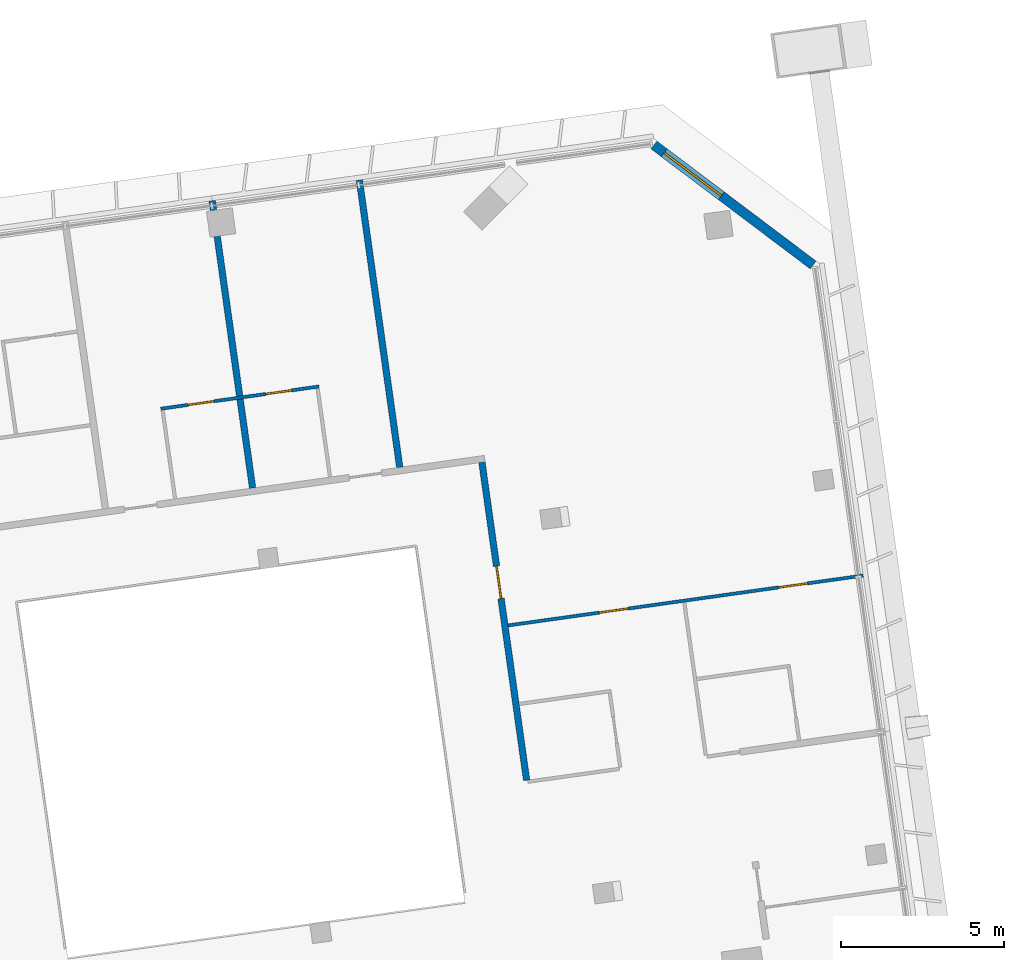
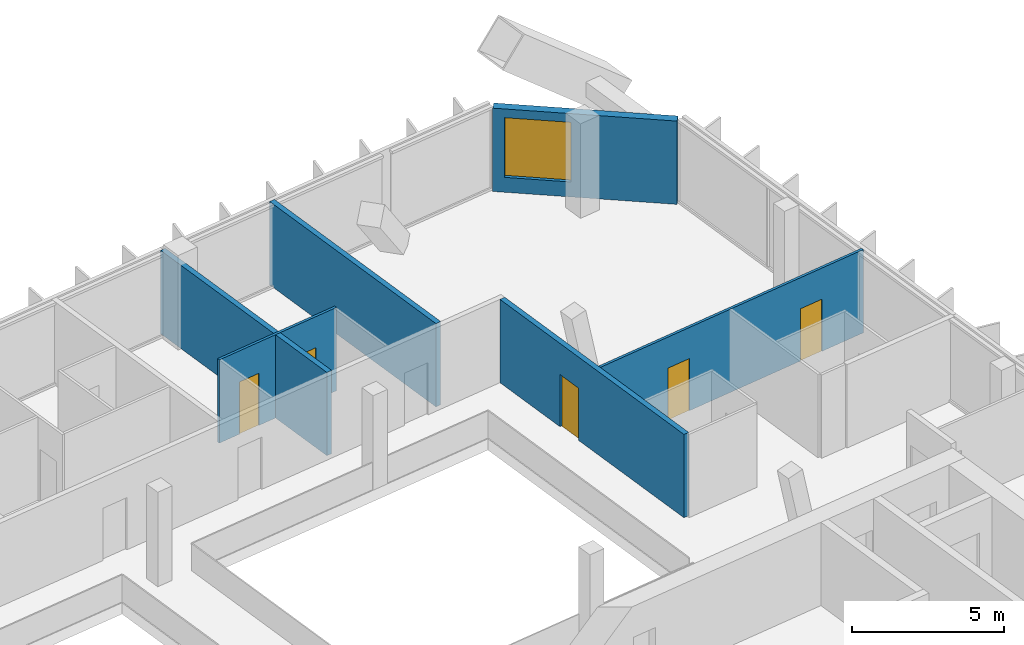
# One storey, part 25 of 32: 6 walls, 5 doors, 1 window, 6 openings.
"""IFC4 building model written with IfcOpenShell, lengths in metres."""

from ifc_helpers import new_model, si_unit, direction, frame, frame_2d, origin, place, context, subcontext, project, spatial, rectangle, extrude, material, layer, layer_set, type_object, element, fill, save


model = new_model("IFC4")

# Units and contexts
model_context = context("Model", 3, precision=1e-05, world=origin(), true_north=direction((0.0, 1.0)))
body_context = subcontext(model_context, "Body", "Model", "MODEL_VIEW")
ifc_project = project(units=[si_unit("LENGTHUNIT", "METRE"), si_unit("AREAUNIT", "SQUARE_METRE"), si_unit("VOLUMEUNIT", "CUBIC_METRE"), si_unit("PLANEANGLEUNIT", "RADIAN"), si_unit("MASSUNIT", "GRAM", prefix="KILO")], contexts=[model_context])

# Site, building, storey
site_placement = place(None, origin())
site = spatial("IfcSite", under=ifc_project, at=site_placement, CompositionType="ELEMENT")
building_placement = place(site_placement, origin())
building = spatial("IfcBuilding", under=site, at=building_placement, Name="Mirante Cascada Hotel Towers", CompositionType="ELEMENT")
storey_placement = place(building_placement, frame((0.0, 0.0, 176.4)))
storey = spatial("IfcBuildingStorey", under=building, at=storey_placement, Name="L41", CompositionType="ELEMENT", Elevation=176.4)

# Walls
ifc_material_1 = material(Name="Fire-rated plasterboard on metal studs")
ifc_layer_1 = layer(ifc_material_1, 0.2)
ifc_layer_set_1 = layer_set([ifc_layer_1], Name="Compartment wall 200 EI 120")
wall_type_1 = type_object("IfcWallType", Name="Compartment wall 200 EI 120", PredefinedType="PARTITIONING", material=ifc_layer_set_1)
for number, where, z_axis, x_axis, name in (
    (1, (71.742, 23.0532, 0.0), (0.0, 0.0, 1.0), (0.1391684, -0.9902687, 0.0), "Wall 2-L41-49"),
    (2, (76.2567, 23.6877, 0.0), (0.0, 0.0, 1.0), (0.1391794, -0.9902672, 0.0), "Wall 2-L41-51"),
):
    element("IfcWall", number, at=place(storey_placement, frame(where, z_axis=z_axis, x_axis=x_axis)), inside=storey, type_object=wall_type_1, Name=name, PredefinedType="PARTITIONING", context=body_context, shape_type="SweptSolid", body=[
        extrude(rectangle(XDim=8.9, YDim=0.2, at=frame_2d((4.45, 0.0))), origin(), (0.0, 0.0, 1.0), 3.35),
    ])

# Wall, opening, door
wall_1_placement = place(storey_placement, frame((81.388, 5.2726, 0.0), z_axis=(0.0, 0.0, 1.0), x_axis=(-0.1391781, 0.9902674, 0.0)))
wall_1 = element("IfcWall", 3, at=wall_1_placement, inside=storey, type_object=wall_type_1, Name="Wall 2-L41-52", PredefinedType="PARTITIONING", context=body_context, shape_type="SweptSolid", body=[
    extrude(rectangle(XDim=9.85, YDim=0.2, at=frame_2d((4.925, 0.0))), origin(), (0.0, 0.0, 1.0), 3.35),
])
opening_1_placement = place(wall_1_placement, frame((5.6333, 0.0, 0.0)))
opening_1 = element("IfcOpeningElement", 4, at=opening_1_placement, cuts=wall_1, Name="Opening D2-L41-32", PredefinedType="OPENING", context=body_context, shape_type="SweptSolid", body=[
    extrude(rectangle(XDim=1.0, YDim=2.1, at=frame_2d((0.5, 1.05))), frame((0.0, 0.1, 0.0), z_axis=(0.0, -1.0, 0.0), x_axis=(1.0, 0.0, 0.0)), (0.0, 0.0, 1.0), 0.2),
])
ifc_material_2 = material(Name="Fire-rated timber door leaf", Category="wood")
door_type_1 = type_object("IfcDoorType", Name="Entrance door DG1 1000x2100 EI 60", OperationType="SINGLE_SWING_LEFT", PredefinedType="DOOR", material=ifc_material_2)
door_1_placement = place(opening_1_placement, frame((1.0, 0.0, 0.0), z_axis=(0.0, 0.0, 1.0), x_axis=(-1.0, 0.0, 0.0)))
door_1 = element("IfcDoor", 5, at=door_1_placement, inside=storey, type_object=door_type_1, Name="Door D2-L41-32", OperationType="SINGLE_SWING_RIGHT", OverallHeight=2.1, OverallWidth=1.0, PredefinedType="DOOR", context=body_context, shape_type="SweptSolid", body=[
    extrude(rectangle(XDim=1.0, YDim=2.1, at=frame_2d((0.5, 1.05))), frame((0.0, 0.025, 0.0), z_axis=(0.0, -1.0, 0.0), x_axis=(1.0, 0.0, 0.0)), (0.0, 0.0, 1.0), 0.05),
])
fill(opening_1, door_1)

# Wall, openings, doors
ifc_material_3 = material(Name="Plasterboard on metal studs")
ifc_layer_2 = layer(ifc_material_3, 0.1)
ifc_layer_set_2 = layer_set([ifc_layer_2], Name="Partition 100")
wall_type_2 = type_object("IfcWallType", Name="Partition 100", PredefinedType="PARTITIONING", material=ifc_layer_set_2)
wall_2_placement = place(storey_placement, frame((91.7142, 11.5542, 0.0), z_axis=(0.0, 0.0, 1.0), x_axis=(-0.990268, -0.1391733, 0.0)))
wall_2 = element("IfcWall", 6, at=wall_2_placement, inside=storey, type_object=wall_type_2, Name="Wall 2-L41-15", PredefinedType="PARTITIONING", context=body_context, shape_type="SweptSolid", body=[
    extrude(rectangle(XDim=11.0, YDim=0.1, at=frame_2d((5.5, 0.0))), origin(), (0.0, 0.0, 1.0), 3.35),
])
opening_2_placement = place(wall_2_placement, frame((7.275, 0.0, 0.0)))
opening_2 = element("IfcOpeningElement", 7, at=opening_2_placement, cuts=wall_2, Name="Opening D2-L41-06", PredefinedType="OPENING", context=body_context, shape_type="SweptSolid", body=[
    extrude(rectangle(XDim=0.9, YDim=2.1, at=frame_2d((0.45, 1.05))), frame((0.0, 0.05, 0.0), z_axis=(0.0, -1.0, 0.0), x_axis=(1.0, 0.0, 0.0)), (0.0, 0.0, 1.0), 0.1),
])
opening_3_placement = place(wall_2_placement, frame((1.725, 0.0, 0.0)))
opening_3 = element("IfcOpeningElement", 8, at=opening_3_placement, cuts=wall_2, Name="Opening D2-L41-07", PredefinedType="OPENING", context=body_context, shape_type="SweptSolid", body=[
    extrude(rectangle(XDim=0.9, YDim=2.1, at=frame_2d((0.45, 1.05))), frame((0.0, 0.05, 0.0), z_axis=(0.0, -1.0, 0.0), x_axis=(1.0, 0.0, 0.0)), (0.0, 0.0, 1.0), 0.1),
])
ifc_material_4 = material(Name="Timber door leaf", Category="wood")
door_type_2 = type_object("IfcDoorType", Name="Room door DG3 900x2100", OperationType="SINGLE_SWING_LEFT", PredefinedType="DOOR", material=ifc_material_4)
door_2_placement = place(opening_2_placement, frame((0.9, 0.0, 0.0), z_axis=(0.0, 0.0, 1.0), x_axis=(-1.0, 0.0, 0.0)))
door_2 = element("IfcDoor", 9, at=door_2_placement, inside=storey, type_object=door_type_2, Name="Door D2-L41-06", OperationType="SINGLE_SWING_RIGHT", OverallHeight=2.1, OverallWidth=0.9, PredefinedType="DOOR", context=body_context, shape_type="SweptSolid", body=[
    extrude(rectangle(XDim=0.9, YDim=2.1, at=frame_2d((0.45, 1.05))), frame((0.0, 0.025, 0.0), z_axis=(0.0, -1.0, 0.0), x_axis=(1.0, 0.0, 0.0)), (0.0, 0.0, 1.0), 0.05),
])
fill(opening_2, door_2)
door_3_placement = place(opening_3_placement, frame((0.9, 0.0, 0.0), z_axis=(0.0, 0.0, 1.0), x_axis=(-1.0, 0.0, 0.0)))
door_3 = element("IfcDoor", 10, at=door_3_placement, inside=storey, type_object=door_type_2, Name="Door D2-L41-07", OperationType="SINGLE_SWING_RIGHT", OverallHeight=2.1, OverallWidth=0.9, PredefinedType="DOOR", context=body_context, shape_type="SweptSolid", body=[
    extrude(rectangle(XDim=0.9, YDim=2.1, at=frame_2d((0.45, 1.05))), frame((0.0, 0.025, 0.0), z_axis=(0.0, -1.0, 0.0), x_axis=(1.0, 0.0, 0.0)), (0.0, 0.0, 1.0), 0.05),
])
fill(opening_3, door_3)

wall_3_placement = place(storey_placement, frame((70.1648, 16.6716, 0.0), z_axis=(0.0, 0.0, 1.0), x_axis=(0.9902694, 0.1391638, 0.0)))
wall_3 = element("IfcWall", 11, at=wall_3_placement, inside=storey, type_object=wall_type_2, Name="Wall 2-L41-22", PredefinedType="PARTITIONING", context=body_context, shape_type="SweptSolid", body=[
    extrude(rectangle(XDim=4.9, YDim=0.1, at=frame_2d((2.45, 0.0))), origin(), (0.0, 0.0, 1.0), 3.35),
])
opening_4_placement = place(wall_3_placement, frame((0.85, 0.0, 0.0)))
opening_4 = element("IfcOpeningElement", 12, at=opening_4_placement, cuts=wall_3, Name="Opening D2-L41-15", PredefinedType="OPENING", context=body_context, shape_type="SweptSolid", body=[
    extrude(rectangle(XDim=0.8, YDim=2.1, at=frame_2d((0.4, 1.05))), frame((0.0, 0.05, 0.0), z_axis=(0.0, -1.0, 0.0), x_axis=(1.0, 0.0, 0.0)), (0.0, 0.0, 1.0), 0.1),
])
opening_5_placement = place(wall_3_placement, frame((3.25, 0.0, 0.0)))
opening_5 = element("IfcOpeningElement", 13, at=opening_5_placement, cuts=wall_3, Name="Opening D2-L41-16", PredefinedType="OPENING", context=body_context, shape_type="SweptSolid", body=[
    extrude(rectangle(XDim=0.8, YDim=2.1, at=frame_2d((0.4, 1.05))), frame((0.0, 0.05, 0.0), z_axis=(0.0, -1.0, 0.0), x_axis=(1.0, 0.0, 0.0)), (0.0, 0.0, 1.0), 0.1),
])
ifc_material_5 = material(Name="Timber door leaf", Category="wood")
door_type_3 = type_object("IfcDoorType", Name="Bathroom door DG4 800x2100", OperationType="SINGLE_SWING_LEFT", PredefinedType="DOOR", material=ifc_material_5)
door_4_placement = place(opening_4_placement, origin())
door_4 = element("IfcDoor", 14, at=door_4_placement, inside=storey, type_object=door_type_3, Name="Door D2-L41-15", OperationType="SINGLE_SWING_LEFT", OverallHeight=2.1, OverallWidth=0.8, PredefinedType="DOOR", context=body_context, shape_type="SweptSolid", body=[
    extrude(rectangle(XDim=0.8, YDim=2.1, at=frame_2d((0.4, 1.05))), frame((0.0, 0.025, 0.0), z_axis=(0.0, -1.0, 0.0), x_axis=(1.0, 0.0, 0.0)), (0.0, 0.0, 1.0), 0.05),
])
fill(opening_4, door_4)
door_5_placement = place(opening_5_placement, origin())
door_5 = element("IfcDoor", 15, at=door_5_placement, inside=storey, type_object=door_type_3, Name="Door D2-L41-16", OperationType="SINGLE_SWING_LEFT", OverallHeight=2.1, OverallWidth=0.8, PredefinedType="DOOR", context=body_context, shape_type="SweptSolid", body=[
    extrude(rectangle(XDim=0.8, YDim=2.1, at=frame_2d((0.4, 1.05))), frame((0.0, 0.025, 0.0), z_axis=(0.0, -1.0, 0.0), x_axis=(1.0, 0.0, 0.0)), (0.0, 0.0, 1.0), 0.05),
])
fill(opening_5, door_5)

# Wall, opening, window
ifc_material_6 = material(Name="Precast concrete C40/50", Category="concrete")
ifc_layer_3 = layer(ifc_material_6, 0.3)
ifc_layer_set_3 = layer_set([ifc_layer_3], Name="Precast concrete C40/50 cladding wall 300")
wall_type_3 = type_object("IfcWallType", Name="Precast concrete C40/50 cladding wall 300", PredefinedType="STANDARD", material=ifc_layer_set_3)
wall_4_placement = place(storey_placement, frame((90.1795, 21.0817, 0.0), z_axis=(0.0, 0.0, 1.0), x_axis=(-0.7986362, 0.6018141, 0.0)))
wall_4 = element("IfcWall", 16, at=wall_4_placement, inside=storey, type_object=wall_type_3, Name="Corner cladding wall T2 L41 outer front", PredefinedType="STANDARD", context=body_context, shape_type="SweptSolid", body=[
    extrude(rectangle(XDim=6.1157, YDim=0.3, at=frame_2d((3.0578, 0.0))), origin(), (0.0, 0.0, 1.0), 3.35),
])
opening_6_placement = place(wall_4_placement, frame((3.5243, 0.0, 0.6)))
opening_6 = element("IfcOpeningElement", 17, at=opening_6_placement, cuts=wall_4, Name="Opening W2-41-02", PredefinedType="OPENING", context=body_context, shape_type="SweptSolid", body=[
    extrude(rectangle(XDim=2.2, YDim=2.4, at=frame_2d((1.1, 1.2))), frame((0.0, 0.15, 0.0), z_axis=(0.0, -1.0, 0.0), x_axis=(1.0, 0.0, 0.0)), (0.0, 0.0, 1.0), 0.3),
])
ifc_material_7 = material(Name="Aluminium frame with clear double glazing", Category="aluminium")
window_type = type_object("IfcWindowType", Name="Corner suite window 2200x2400", PartitioningType="DOUBLE_PANEL_VERTICAL", PredefinedType="WINDOW", material=ifc_material_7)
window_placement = place(opening_6_placement, origin())
window = element("IfcWindow", 18, at=window_placement, inside=storey, type_object=window_type, Name="Window W2-41-02", OverallHeight=2.4, OverallWidth=2.2, PartitioningType="SINGLE_PANEL", PredefinedType="WINDOW", context=body_context, shape_type="SweptSolid", body=[
    extrude(rectangle(XDim=2.2, YDim=2.4, at=frame_2d((1.1, 1.2))), frame((0.0, 0.03, 0.0), z_axis=(0.0, -1.0, 0.0), x_axis=(1.0, 0.0, 0.0)), (0.0, 0.0, 1.0), 0.06),
])
fill(opening_6, window)

save(model, "model.ifc")
